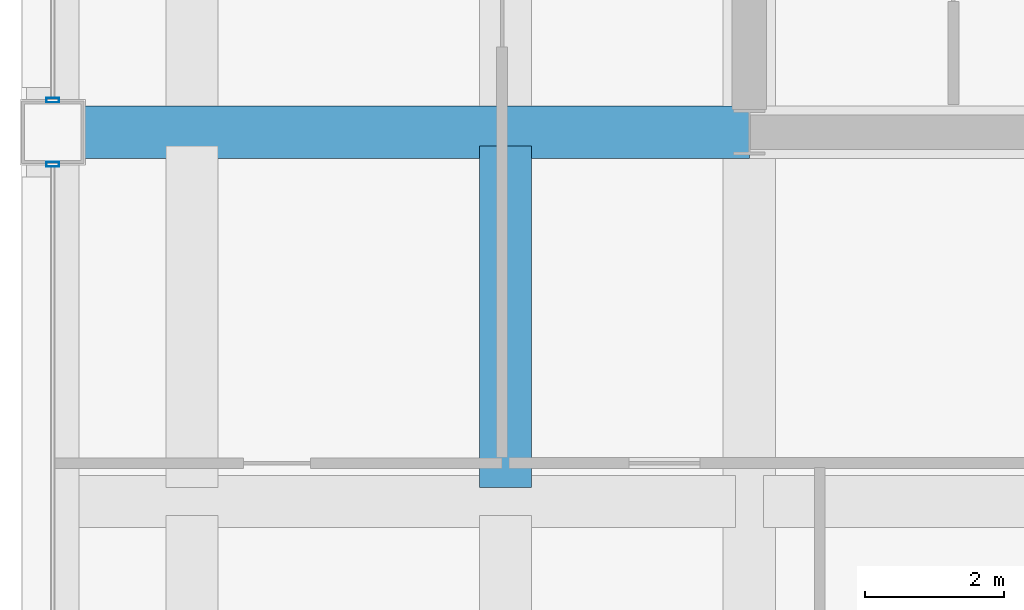
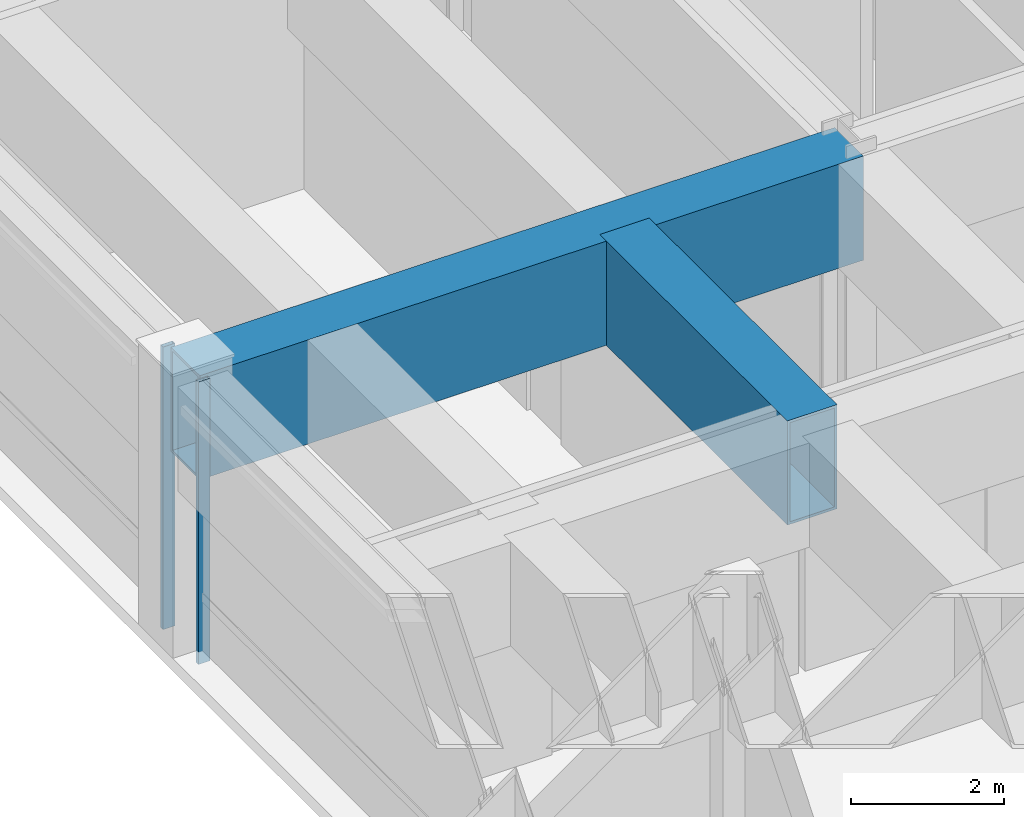
# One storey, part 4 of 29: 2 beams, 2 members, 2 elements without a shape of their own.
"""IFC4 building model written with IfcOpenShell, lengths in metres."""

from ifc_helpers import new_model, si_unit, direction, frame, origin, origin_2d, place, context, subcontext, project, spatial, hollow_rectangle, extrude, material, layer, layer_set, material_profile, profile_set, type_object, element, aggregate, save


model = new_model("IFC4")

# Units and contexts
model_context = context("Model", 3, precision=1e-05, world=origin(), true_north=direction((0.0, 1.0)))
body_context = subcontext(model_context, "Body", "Model", "MODEL_VIEW")
ifc_project = project(units=[si_unit("LENGTHUNIT", "METRE"), si_unit("AREAUNIT", "SQUARE_METRE"), si_unit("VOLUMEUNIT", "CUBIC_METRE"), si_unit("PLANEANGLEUNIT", "RADIAN"), si_unit("MASSUNIT", "GRAM", prefix="KILO")], contexts=[model_context])

# Site, building, storey
site_placement = place(None, origin())
site = spatial("IfcSite", under=ifc_project, at=site_placement, CompositionType="ELEMENT")
building_placement = place(site_placement, origin())
building = spatial("IfcBuilding", under=site, at=building_placement, Name="Brelmoor Portico Tower", CompositionType="ELEMENT")
storey_placement = place(building_placement, frame((0.0, 0.0, 82.800048828125)))
storey = spatial("IfcBuildingStorey", under=building, at=storey_placement, Name="L21", CompositionType="ELEMENT", Elevation=82.800048828125)

# Beams
ifc_material_1 = material(Name="Steel Q355B", Category="steel")
ifc_material_profile_1 = material_profile(ifc_material_1, hollow_rectangle(XDim=0.75, YDim=1.659912109375, WallThickness=0.0419921875, at=origin_2d()), Name="BOX 750x1660x42")
ifc_profile_set_1 = profile_set([ifc_material_profile_1], Name="Steel Q355B")
beam_type = type_object("IfcBeamType", Name="BM-TG-Z2", PredefinedType="BEAM", material=ifc_profile_set_1)
beam_1_placement = place(storey_placement, frame((-24.550048828125, -9.75, 3.469970703125), z_axis=(1.0, 0.0, 0.0), x_axis=(0.0, 1.0, 0.0)))
element("IfcBeam", 1, at=beam_1_placement, inside=storey, type_object=beam_type, Name="L21 Setback Transfer Girder PG-19", PredefinedType="BEAM", context=body_context, shape_type="SweptSolid", body=[
    extrude(hollow_rectangle(XDim=0.75, YDim=1.659912109375, WallThickness=0.0419921875, at=origin_2d()), origin(), (0.0, 0.0, 1.0), 10.0),
])
beam_2_placement = place(storey_placement, frame((-18.050048828125, -14.85009765625, 3.469970703125), z_axis=(0.0, 1.0, 0.0), x_axis=(-1.0, 0.0, 0.0)))
element("IfcBeam", 2, at=beam_2_placement, inside=storey, type_object=beam_type, Name="L21 Setback Transfer Girder TGN-22", PredefinedType="BEAM", context=body_context, shape_type="SweptSolid", body=[
    extrude(hollow_rectangle(XDim=0.75, YDim=1.659912109375, WallThickness=0.0419921875, at=origin_2d()), origin(), (0.0, 0.0, 1.0), 4.900146484375),
])

# Curtain wall, member
ifc_material_2 = material(Name="Anodised Aluminium Alloy 6063-T6", Category="aluminium")
ifc_layer = layer(ifc_material_2, 0.179931640625)
ifc_layer_set = layer_set([ifc_layer], Name="Anodised Aluminium Alloy 6063-T6")
curtain_wall_type = type_object("IfcCurtainWallType", Name="CW-TOWER-Z1", PredefinedType="NOTDEFINED", material=ifc_layer_set)
curtain_wall_1_placement = place(storey_placement, origin())
curtain_wall_1 = element("IfcCurtainWall", 3, at=curtain_wall_1_placement, inside=storey, type_object=curtain_wall_type, Name="L21 Curtain Wall CW-L21-03-1", PredefinedType="NOTDEFINED")
ifc_material_profile_2 = material_profile(ifc_material_2, hollow_rectangle(XDim=0.06494140625, YDim=0.179931640625, WallThickness=0.00390625, at=origin_2d()), Name="ALU MULLION 65x180")
ifc_profile_set_2 = profile_set([ifc_material_profile_2], Name="Anodised Aluminium Alloy 6063-T6")
member_type = type_object("IfcMemberType", Name="MB-CW-MULL-180", PredefinedType="MULLION", material=ifc_profile_set_2)
member_1_placement = place(storey_placement, frame((-24.550048828125, -10.2099609375, -0.199951171875), z_axis=(0.0, 0.0, 1.0), x_axis=(0.0, 1.0, 0.0)))
member_1 = element("IfcMember", 4, at=member_1_placement, type_object=member_type, Name="CW-L21-03-1 Mullion 01", PredefinedType="MULLION", context=body_context, shape_type="SweptSolid", body=[
    extrude(hollow_rectangle(XDim=0.06494140625, YDim=0.179931640625, WallThickness=0.00390625, at=origin_2d()), origin(), (0.0, 0.0, 1.0), 4.5),
])
aggregate(curtain_wall_1, [member_1])

curtain_wall_2_placement = place(storey_placement, origin())
curtain_wall_2 = element("IfcCurtainWall", 5, at=curtain_wall_2_placement, inside=storey, type_object=curtain_wall_type, Name="L21 Curtain Wall CW-L21-03-2", PredefinedType="NOTDEFINED")
member_2_placement = place(storey_placement, frame((-24.550048828125, -9.2900390625, -0.199951171875), z_axis=(0.0, 0.0, 1.0), x_axis=(0.0, 1.0, 0.0)))
member_2 = element("IfcMember", 6, at=member_2_placement, type_object=member_type, Name="CW-L21-03-2 Mullion 00", PredefinedType="MULLION", context=body_context, shape_type="SweptSolid", body=[
    extrude(hollow_rectangle(XDim=0.06494140625, YDim=0.179931640625, WallThickness=0.00390625, at=origin_2d()), origin(), (0.0, 0.0, 1.0), 4.5),
])
aggregate(curtain_wall_2, [member_2])

save(model, "model.ifc")
